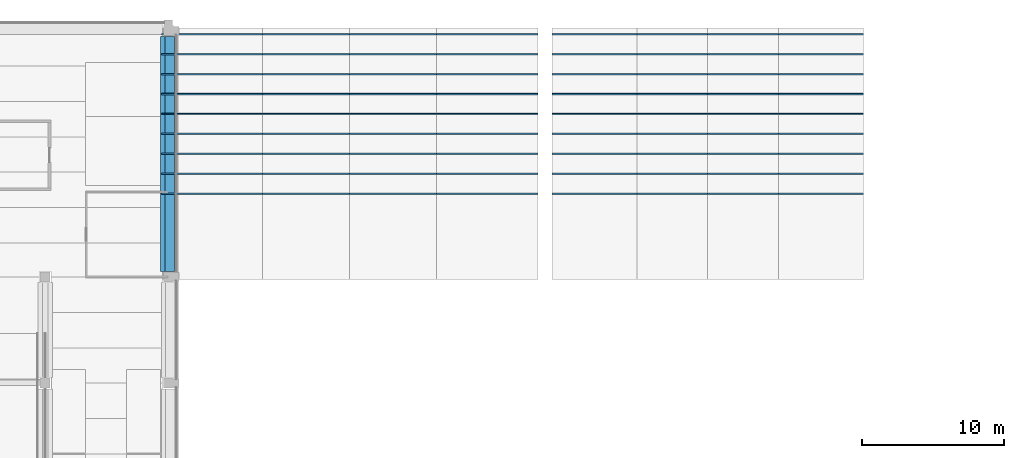
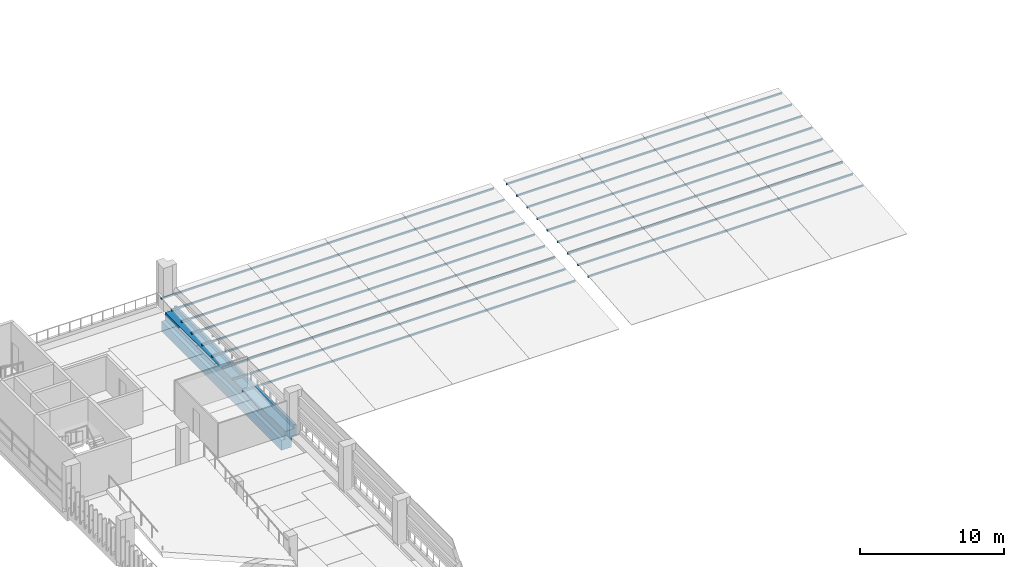
# One storey, part 4 of 24: 72 members, 1 beam.
"""IFC4 building model written with IfcOpenShell, lengths in metres."""

from ifc_helpers import new_model, si_unit, direction, frame, origin, origin_2d, place, context, subcontext, project, spatial, polyline, hollow_rectangle, outline, extrude, material, material_profile, profile_set, type_object, element, save


model = new_model("IFC4")

# Units and contexts
model_context = context("Model", 3, precision=1e-05, world=origin(), true_north=direction((0.0, 1.0)))
body_context = subcontext(model_context, "Body", "Model", "MODEL_VIEW")
ifc_project = project(units=[si_unit("LENGTHUNIT", "METRE"), si_unit("AREAUNIT", "SQUARE_METRE"), si_unit("VOLUMEUNIT", "CUBIC_METRE"), si_unit("PLANEANGLEUNIT", "RADIAN"), si_unit("MASSUNIT", "GRAM", prefix="KILO")], contexts=[model_context])

# Site, building, storey
site_placement = place(None, origin())
site = spatial("IfcSite", under=ifc_project, at=site_placement, CompositionType="ELEMENT")
building_placement = place(site_placement, origin())
building = spatial("IfcBuilding", under=site, at=building_placement, Name="Cour d'Honneur Mobility Palace", CompositionType="ELEMENT")
storey_placement = place(building_placement, frame((0.0, 0.0, 26.699951171875)))
storey = spatial("IfcBuildingStorey", under=building, at=storey_placement, Name="L07", CompositionType="ELEMENT", Elevation=26.699951171875)

# Beam
ifc_material_1 = material(Name="Concrete C45", Category="concrete")
ifc_material_profile_1 = material_profile(ifc_material_1, outline(polyline([(0.550048828125, -1.5), (0.550048828125, -0.64990234375), (0.25, -0.64990234375), (0.25, 0.0), (-0.25, 0.0), (-0.449951171875, 0.0), (-0.449951171875, 0.300048828125), (-0.64990234375, 0.300048828125), (-0.64990234375, -0.60009765625), (-0.25, -0.60009765625), (-0.25, -1.5), (0.550048828125, -1.5)])), Name="Ledger Beam 500x1500 ledge left 850 facade right")
ifc_profile_set_1 = profile_set([ifc_material_profile_1], Name="Concrete C45")
beam_type = type_object("IfcBeamType", Name="Ledger Beam 500x1500 ledge left 850 facade right", PredefinedType="BEAM", material=ifc_profile_set_1)
beam_placement = place(storey_placement, frame((17.39990234375, 45.39990234375, 0.0), z_axis=(0.0, 1.0, 0.0), x_axis=(-1.0, 0.0, 0.0)))
element("IfcBeam", 1, at=beam_placement, inside=storey, type_object=beam_type, Name="Precast beam B23 G-H L07", PredefinedType="BEAM", context=body_context, shape_type="SweptSolid", body=[
    extrude(outline(polyline([(0.550048828125, -1.5), (0.550048828125, -0.64990234375), (0.25, -0.64990234375), (0.25, 0.0), (-0.25, 0.0), (-0.449951171875, 0.0), (-0.449951171875, 0.300048828125), (-0.64990234375, 0.300048828125), (-0.64990234375, -0.60009765625), (-0.25, -0.60009765625), (-0.25, -1.5), (0.550048828125, -1.5)])), origin(), (0.0, 0.0, 1.0), 16.60009765625),
])

# Members
ifc_material_2 = material(Name="Steel S355", Category="steel")
ifc_material_profile_2 = material_profile(ifc_material_2, hollow_rectangle(XDim=0.10009765625, YDim=0.14990234375, WallThickness=0.00634765625, at=origin_2d()), Name="RHS 150x100x6.3")
ifc_profile_set_2 = profile_set([ifc_material_profile_2], Name="Steel S355")
member_type = type_object("IfcMemberType", Name="Pergola purlin RHS 150x100x6.3", PredefinedType="PURLIN", material=ifc_profile_set_2)
member_1_placement = place(storey_placement, frame((16.89990234375, 50.885009765625, 0.18115234375), z_axis=(1.0, 0.0, 0.0), x_axis=(0.0, 0.996196869991, 0.08713091426)))
element("IfcMember", 2, at=member_1_placement, inside=storey, type_object=member_type, Name="Pergola purlin FW-5.1", PredefinedType="PURLIN", context=body_context, shape_type="SweptSolid", body=[
    extrude(hollow_rectangle(XDim=0.10009765625, YDim=0.14990234375, WallThickness=0.00634765625, at=origin_2d()), origin(), (0.0, 0.0, 1.0), 7.150146484375),
])
member_2_placement = place(storey_placement, frame((24.050048828125, 50.885009765625, 0.18115234375), z_axis=(1.0, 0.0, 0.0), x_axis=(0.0, 0.996196869991, 0.08713091426)))
element("IfcMember", 3, at=member_2_placement, inside=storey, type_object=member_type, Name="Pergola purlin FW-5.2", PredefinedType="PURLIN", context=body_context, shape_type="SweptSolid", body=[
    extrude(hollow_rectangle(XDim=0.10009765625, YDim=0.14990234375, WallThickness=0.00634765625, at=origin_2d()), origin(), (0.0, 0.0, 1.0), 6.14990234375),
])
member_3_placement = place(storey_placement, frame((30.199951171875, 50.885009765625, 0.18115234375), z_axis=(1.0, 0.0, 0.0), x_axis=(0.0, 0.996196869991, 0.08713091426)))
element("IfcMember", 4, at=member_3_placement, inside=storey, type_object=member_type, Name="Pergola purlin FW-5.3", PredefinedType="PURLIN", context=body_context, shape_type="SweptSolid", body=[
    extrude(hollow_rectangle(XDim=0.10009765625, YDim=0.14990234375, WallThickness=0.00634765625, at=origin_2d()), origin(), (0.0, 0.0, 1.0), 6.150146484375),
])
member_4_placement = place(storey_placement, frame((36.35009765625, 50.885009765625, 0.18115234375), z_axis=(1.0, 0.0, 0.0), x_axis=(0.0, 0.996196869991, 0.08713091426)))
element("IfcMember", 5, at=member_4_placement, inside=storey, type_object=member_type, Name="Pergola purlin FW-5.4", PredefinedType="PURLIN", context=body_context, shape_type="SweptSolid", body=[
    extrude(hollow_rectangle(XDim=0.10009765625, YDim=0.14990234375, WallThickness=0.00634765625, at=origin_2d()), origin(), (0.0, 0.0, 1.0), 7.14990234375),
])
member_5_placement = place(storey_placement, frame((16.89990234375, 52.29248046875, 0.30419921875), z_axis=(1.0, 0.0, 0.0), x_axis=(0.0, 0.996196869991, 0.08713091426)))
element("IfcMember", 6, at=member_5_placement, inside=storey, type_object=member_type, Name="Pergola purlin FW-6.1", PredefinedType="PURLIN", context=body_context, shape_type="SweptSolid", body=[
    extrude(hollow_rectangle(XDim=0.10009765625, YDim=0.14990234375, WallThickness=0.00634765625, at=origin_2d()), origin(), (0.0, 0.0, 1.0), 7.150146484375),
])
member_6_placement = place(storey_placement, frame((24.050048828125, 52.29248046875, 0.30419921875), z_axis=(1.0, 0.0, 0.0), x_axis=(0.0, 0.996196869991, 0.08713091426)))
element("IfcMember", 7, at=member_6_placement, inside=storey, type_object=member_type, Name="Pergola purlin FW-6.2", PredefinedType="PURLIN", context=body_context, shape_type="SweptSolid", body=[
    extrude(hollow_rectangle(XDim=0.10009765625, YDim=0.14990234375, WallThickness=0.00634765625, at=origin_2d()), origin(), (0.0, 0.0, 1.0), 6.14990234375),
])
member_7_placement = place(storey_placement, frame((30.199951171875, 52.29248046875, 0.30419921875), z_axis=(1.0, 0.0, 0.0), x_axis=(0.0, 0.996196869991, 0.08713091426)))
element("IfcMember", 8, at=member_7_placement, inside=storey, type_object=member_type, Name="Pergola purlin FW-6.3", PredefinedType="PURLIN", context=body_context, shape_type="SweptSolid", body=[
    extrude(hollow_rectangle(XDim=0.10009765625, YDim=0.14990234375, WallThickness=0.00634765625, at=origin_2d()), origin(), (0.0, 0.0, 1.0), 6.150146484375),
])
member_8_placement = place(storey_placement, frame((36.35009765625, 52.29248046875, 0.30419921875), z_axis=(1.0, 0.0, 0.0), x_axis=(0.0, 0.996196869991, 0.08713091426)))
element("IfcMember", 9, at=member_8_placement, inside=storey, type_object=member_type, Name="Pergola purlin FW-6.4", PredefinedType="PURLIN", context=body_context, shape_type="SweptSolid", body=[
    extrude(hollow_rectangle(XDim=0.10009765625, YDim=0.14990234375, WallThickness=0.00634765625, at=origin_2d()), origin(), (0.0, 0.0, 1.0), 7.14990234375),
])
member_9_placement = place(storey_placement, frame((16.89990234375, 53.699951171875, 0.42724609375), z_axis=(1.0, 0.0, 0.0), x_axis=(0.0, 0.996196869991, 0.08713091426)))
element("IfcMember", 10, at=member_9_placement, inside=storey, type_object=member_type, Name="Pergola purlin FW-7.1", PredefinedType="PURLIN", context=body_context, shape_type="SweptSolid", body=[
    extrude(hollow_rectangle(XDim=0.10009765625, YDim=0.14990234375, WallThickness=0.00634765625, at=origin_2d()), origin(), (0.0, 0.0, 1.0), 7.150146484375),
])
member_10_placement = place(storey_placement, frame((24.050048828125, 53.699951171875, 0.42724609375), z_axis=(1.0, 0.0, 0.0), x_axis=(0.0, 0.996196869991, 0.08713091426)))
element("IfcMember", 11, at=member_10_placement, inside=storey, type_object=member_type, Name="Pergola purlin FW-7.2", PredefinedType="PURLIN", context=body_context, shape_type="SweptSolid", body=[
    extrude(hollow_rectangle(XDim=0.10009765625, YDim=0.14990234375, WallThickness=0.00634765625, at=origin_2d()), origin(), (0.0, 0.0, 1.0), 6.14990234375),
])
member_11_placement = place(storey_placement, frame((30.199951171875, 53.699951171875, 0.42724609375), z_axis=(1.0, 0.0, 0.0), x_axis=(0.0, 0.996196869991, 0.08713091426)))
element("IfcMember", 12, at=member_11_placement, inside=storey, type_object=member_type, Name="Pergola purlin FW-7.3", PredefinedType="PURLIN", context=body_context, shape_type="SweptSolid", body=[
    extrude(hollow_rectangle(XDim=0.10009765625, YDim=0.14990234375, WallThickness=0.00634765625, at=origin_2d()), origin(), (0.0, 0.0, 1.0), 6.150146484375),
])
member_12_placement = place(storey_placement, frame((36.35009765625, 53.699951171875, 0.42724609375), z_axis=(1.0, 0.0, 0.0), x_axis=(0.0, 0.996196869991, 0.08713091426)))
element("IfcMember", 13, at=member_12_placement, inside=storey, type_object=member_type, Name="Pergola purlin FW-7.4", PredefinedType="PURLIN", context=body_context, shape_type="SweptSolid", body=[
    extrude(hollow_rectangle(XDim=0.10009765625, YDim=0.14990234375, WallThickness=0.00634765625, at=origin_2d()), origin(), (0.0, 0.0, 1.0), 7.14990234375),
])
member_13_placement = place(storey_placement, frame((16.89990234375, 55.107421875, 0.55029296875), z_axis=(1.0, 0.0, 0.0), x_axis=(0.0, 0.996196869991, 0.08713091426)))
element("IfcMember", 14, at=member_13_placement, inside=storey, type_object=member_type, Name="Pergola purlin FW-8.1", PredefinedType="PURLIN", context=body_context, shape_type="SweptSolid", body=[
    extrude(hollow_rectangle(XDim=0.10009765625, YDim=0.14990234375, WallThickness=0.00634765625, at=origin_2d()), origin(), (0.0, 0.0, 1.0), 7.150146484375),
])
member_14_placement = place(storey_placement, frame((24.050048828125, 55.107421875, 0.55029296875), z_axis=(1.0, 0.0, 0.0), x_axis=(0.0, 0.996196869991, 0.08713091426)))
element("IfcMember", 15, at=member_14_placement, inside=storey, type_object=member_type, Name="Pergola purlin FW-8.2", PredefinedType="PURLIN", context=body_context, shape_type="SweptSolid", body=[
    extrude(hollow_rectangle(XDim=0.10009765625, YDim=0.14990234375, WallThickness=0.00634765625, at=origin_2d()), origin(), (0.0, 0.0, 1.0), 6.14990234375),
])
member_15_placement = place(storey_placement, frame((30.199951171875, 55.107421875, 0.55029296875), z_axis=(1.0, 0.0, 0.0), x_axis=(0.0, 0.996196869991, 0.08713091426)))
element("IfcMember", 16, at=member_15_placement, inside=storey, type_object=member_type, Name="Pergola purlin FW-8.3", PredefinedType="PURLIN", context=body_context, shape_type="SweptSolid", body=[
    extrude(hollow_rectangle(XDim=0.10009765625, YDim=0.14990234375, WallThickness=0.00634765625, at=origin_2d()), origin(), (0.0, 0.0, 1.0), 6.150146484375),
])
member_16_placement = place(storey_placement, frame((36.35009765625, 55.107421875, 0.55029296875), z_axis=(1.0, 0.0, 0.0), x_axis=(0.0, 0.996196869991, 0.08713091426)))
element("IfcMember", 17, at=member_16_placement, inside=storey, type_object=member_type, Name="Pergola purlin FW-8.4", PredefinedType="PURLIN", context=body_context, shape_type="SweptSolid", body=[
    extrude(hollow_rectangle(XDim=0.10009765625, YDim=0.14990234375, WallThickness=0.00634765625, at=origin_2d()), origin(), (0.0, 0.0, 1.0), 7.14990234375),
])
member_17_placement = place(storey_placement, frame((16.89990234375, 56.514892578125, 0.67333984375), z_axis=(1.0, 0.0, 0.0), x_axis=(0.0, 0.996196869991, 0.08713091426)))
element("IfcMember", 18, at=member_17_placement, inside=storey, type_object=member_type, Name="Pergola purlin FW-9.1", PredefinedType="PURLIN", context=body_context, shape_type="SweptSolid", body=[
    extrude(hollow_rectangle(XDim=0.10009765625, YDim=0.14990234375, WallThickness=0.00634765625, at=origin_2d()), origin(), (0.0, 0.0, 1.0), 7.150146484375),
])
member_18_placement = place(storey_placement, frame((24.050048828125, 56.514892578125, 0.67333984375), z_axis=(1.0, 0.0, 0.0), x_axis=(0.0, 0.996196869991, 0.08713091426)))
element("IfcMember", 19, at=member_18_placement, inside=storey, type_object=member_type, Name="Pergola purlin FW-9.2", PredefinedType="PURLIN", context=body_context, shape_type="SweptSolid", body=[
    extrude(hollow_rectangle(XDim=0.10009765625, YDim=0.14990234375, WallThickness=0.00634765625, at=origin_2d()), origin(), (0.0, 0.0, 1.0), 6.14990234375),
])
member_19_placement = place(storey_placement, frame((30.199951171875, 56.514892578125, 0.67333984375), z_axis=(1.0, 0.0, 0.0), x_axis=(0.0, 0.996196869991, 0.08713091426)))
element("IfcMember", 20, at=member_19_placement, inside=storey, type_object=member_type, Name="Pergola purlin FW-9.3", PredefinedType="PURLIN", context=body_context, shape_type="SweptSolid", body=[
    extrude(hollow_rectangle(XDim=0.10009765625, YDim=0.14990234375, WallThickness=0.00634765625, at=origin_2d()), origin(), (0.0, 0.0, 1.0), 6.150146484375),
])
member_20_placement = place(storey_placement, frame((36.35009765625, 56.514892578125, 0.67333984375), z_axis=(1.0, 0.0, 0.0), x_axis=(0.0, 0.996196869991, 0.08713091426)))
element("IfcMember", 21, at=member_20_placement, inside=storey, type_object=member_type, Name="Pergola purlin FW-9.4", PredefinedType="PURLIN", context=body_context, shape_type="SweptSolid", body=[
    extrude(hollow_rectangle(XDim=0.10009765625, YDim=0.14990234375, WallThickness=0.00634765625, at=origin_2d()), origin(), (0.0, 0.0, 1.0), 7.14990234375),
])
member_21_placement = place(storey_placement, frame((16.89990234375, 57.922607421875, 0.796630859375), z_axis=(1.0, 0.0, 0.0), x_axis=(0.0, 0.996196869991, 0.08713091426)))
element("IfcMember", 22, at=member_21_placement, inside=storey, type_object=member_type, Name="Pergola purlin FW-10.1", PredefinedType="PURLIN", context=body_context, shape_type="SweptSolid", body=[
    extrude(hollow_rectangle(XDim=0.10009765625, YDim=0.14990234375, WallThickness=0.00634765625, at=origin_2d()), origin(), (0.0, 0.0, 1.0), 7.150146484375),
])
member_22_placement = place(storey_placement, frame((24.050048828125, 57.922607421875, 0.796630859375), z_axis=(1.0, 0.0, 0.0), x_axis=(0.0, 0.996196869991, 0.08713091426)))
element("IfcMember", 23, at=member_22_placement, inside=storey, type_object=member_type, Name="Pergola purlin FW-10.2", PredefinedType="PURLIN", context=body_context, shape_type="SweptSolid", body=[
    extrude(hollow_rectangle(XDim=0.10009765625, YDim=0.14990234375, WallThickness=0.00634765625, at=origin_2d()), origin(), (0.0, 0.0, 1.0), 6.14990234375),
])
member_23_placement = place(storey_placement, frame((30.199951171875, 57.922607421875, 0.796630859375), z_axis=(1.0, 0.0, 0.0), x_axis=(0.0, 0.996196869991, 0.08713091426)))
element("IfcMember", 24, at=member_23_placement, inside=storey, type_object=member_type, Name="Pergola purlin FW-10.3", PredefinedType="PURLIN", context=body_context, shape_type="SweptSolid", body=[
    extrude(hollow_rectangle(XDim=0.10009765625, YDim=0.14990234375, WallThickness=0.00634765625, at=origin_2d()), origin(), (0.0, 0.0, 1.0), 6.150146484375),
])
member_24_placement = place(storey_placement, frame((36.35009765625, 57.922607421875, 0.796630859375), z_axis=(1.0, 0.0, 0.0), x_axis=(0.0, 0.996196869991, 0.08713091426)))
element("IfcMember", 25, at=member_24_placement, inside=storey, type_object=member_type, Name="Pergola purlin FW-10.4", PredefinedType="PURLIN", context=body_context, shape_type="SweptSolid", body=[
    extrude(hollow_rectangle(XDim=0.10009765625, YDim=0.14990234375, WallThickness=0.00634765625, at=origin_2d()), origin(), (0.0, 0.0, 1.0), 7.14990234375),
])
member_25_placement = place(storey_placement, frame((16.89990234375, 59.330078125, 0.919677734375), z_axis=(1.0, 0.0, 0.0), x_axis=(0.0, 0.996196869991, 0.08713091426)))
element("IfcMember", 26, at=member_25_placement, inside=storey, type_object=member_type, Name="Pergola purlin FW-11.1", PredefinedType="PURLIN", context=body_context, shape_type="SweptSolid", body=[
    extrude(hollow_rectangle(XDim=0.10009765625, YDim=0.14990234375, WallThickness=0.00634765625, at=origin_2d()), origin(), (0.0, 0.0, 1.0), 7.150146484375),
])
member_26_placement = place(storey_placement, frame((24.050048828125, 59.330078125, 0.919677734375), z_axis=(1.0, 0.0, 0.0), x_axis=(0.0, 0.996196869991, 0.08713091426)))
element("IfcMember", 27, at=member_26_placement, inside=storey, type_object=member_type, Name="Pergola purlin FW-11.2", PredefinedType="PURLIN", context=body_context, shape_type="SweptSolid", body=[
    extrude(hollow_rectangle(XDim=0.10009765625, YDim=0.14990234375, WallThickness=0.00634765625, at=origin_2d()), origin(), (0.0, 0.0, 1.0), 6.14990234375),
])
member_27_placement = place(storey_placement, frame((30.199951171875, 59.330078125, 0.919677734375), z_axis=(1.0, 0.0, 0.0), x_axis=(0.0, 0.996196869991, 0.08713091426)))
element("IfcMember", 28, at=member_27_placement, inside=storey, type_object=member_type, Name="Pergola purlin FW-11.3", PredefinedType="PURLIN", context=body_context, shape_type="SweptSolid", body=[
    extrude(hollow_rectangle(XDim=0.10009765625, YDim=0.14990234375, WallThickness=0.00634765625, at=origin_2d()), origin(), (0.0, 0.0, 1.0), 6.150146484375),
])
member_28_placement = place(storey_placement, frame((36.35009765625, 59.330078125, 0.919677734375), z_axis=(1.0, 0.0, 0.0), x_axis=(0.0, 0.996196869991, 0.08713091426)))
element("IfcMember", 29, at=member_28_placement, inside=storey, type_object=member_type, Name="Pergola purlin FW-11.4", PredefinedType="PURLIN", context=body_context, shape_type="SweptSolid", body=[
    extrude(hollow_rectangle(XDim=0.10009765625, YDim=0.14990234375, WallThickness=0.00634765625, at=origin_2d()), origin(), (0.0, 0.0, 1.0), 7.14990234375),
])
member_29_placement = place(storey_placement, frame((16.89990234375, 60.737548828125, 1.042724609375), z_axis=(1.0, 0.0, 0.0), x_axis=(0.0, 0.996196869991, 0.08713091426)))
element("IfcMember", 30, at=member_29_placement, inside=storey, type_object=member_type, Name="Pergola purlin FW-12.1", PredefinedType="PURLIN", context=body_context, shape_type="SweptSolid", body=[
    extrude(hollow_rectangle(XDim=0.10009765625, YDim=0.14990234375, WallThickness=0.00634765625, at=origin_2d()), origin(), (0.0, 0.0, 1.0), 7.150146484375),
])
member_30_placement = place(storey_placement, frame((24.050048828125, 60.737548828125, 1.042724609375), z_axis=(1.0, 0.0, 0.0), x_axis=(0.0, 0.996196869991, 0.08713091426)))
element("IfcMember", 31, at=member_30_placement, inside=storey, type_object=member_type, Name="Pergola purlin FW-12.2", PredefinedType="PURLIN", context=body_context, shape_type="SweptSolid", body=[
    extrude(hollow_rectangle(XDim=0.10009765625, YDim=0.14990234375, WallThickness=0.00634765625, at=origin_2d()), origin(), (0.0, 0.0, 1.0), 6.14990234375),
])
member_31_placement = place(storey_placement, frame((30.199951171875, 60.737548828125, 1.042724609375), z_axis=(1.0, 0.0, 0.0), x_axis=(0.0, 0.996196869991, 0.08713091426)))
element("IfcMember", 32, at=member_31_placement, inside=storey, type_object=member_type, Name="Pergola purlin FW-12.3", PredefinedType="PURLIN", context=body_context, shape_type="SweptSolid", body=[
    extrude(hollow_rectangle(XDim=0.10009765625, YDim=0.14990234375, WallThickness=0.00634765625, at=origin_2d()), origin(), (0.0, 0.0, 1.0), 6.150146484375),
])
member_32_placement = place(storey_placement, frame((36.35009765625, 60.737548828125, 1.042724609375), z_axis=(1.0, 0.0, 0.0), x_axis=(0.0, 0.996196869991, 0.08713091426)))
element("IfcMember", 33, at=member_32_placement, inside=storey, type_object=member_type, Name="Pergola purlin FW-12.4", PredefinedType="PURLIN", context=body_context, shape_type="SweptSolid", body=[
    extrude(hollow_rectangle(XDim=0.10009765625, YDim=0.14990234375, WallThickness=0.00634765625, at=origin_2d()), origin(), (0.0, 0.0, 1.0), 7.14990234375),
])
member_33_placement = place(storey_placement, frame((16.89990234375, 62.14501953125, 1.165771484375), z_axis=(1.0, 0.0, 0.0), x_axis=(0.0, 0.996196869991, 0.08713091426)))
element("IfcMember", 34, at=member_33_placement, inside=storey, type_object=member_type, Name="Pergola purlin FW-13.1", PredefinedType="PURLIN", context=body_context, shape_type="SweptSolid", body=[
    extrude(hollow_rectangle(XDim=0.10009765625, YDim=0.14990234375, WallThickness=0.00634765625, at=origin_2d()), origin(), (0.0, 0.0, 1.0), 7.150146484375),
])
member_34_placement = place(storey_placement, frame((24.050048828125, 62.14501953125, 1.165771484375), z_axis=(1.0, 0.0, 0.0), x_axis=(0.0, 0.996196869991, 0.08713091426)))
element("IfcMember", 35, at=member_34_placement, inside=storey, type_object=member_type, Name="Pergola purlin FW-13.2", PredefinedType="PURLIN", context=body_context, shape_type="SweptSolid", body=[
    extrude(hollow_rectangle(XDim=0.10009765625, YDim=0.14990234375, WallThickness=0.00634765625, at=origin_2d()), origin(), (0.0, 0.0, 1.0), 6.14990234375),
])
member_35_placement = place(storey_placement, frame((30.199951171875, 62.14501953125, 1.165771484375), z_axis=(1.0, 0.0, 0.0), x_axis=(0.0, 0.996196869991, 0.08713091426)))
element("IfcMember", 36, at=member_35_placement, inside=storey, type_object=member_type, Name="Pergola purlin FW-13.3", PredefinedType="PURLIN", context=body_context, shape_type="SweptSolid", body=[
    extrude(hollow_rectangle(XDim=0.10009765625, YDim=0.14990234375, WallThickness=0.00634765625, at=origin_2d()), origin(), (0.0, 0.0, 1.0), 6.150146484375),
])
member_36_placement = place(storey_placement, frame((36.35009765625, 62.14501953125, 1.165771484375), z_axis=(1.0, 0.0, 0.0), x_axis=(0.0, 0.996196869991, 0.08713091426)))
element("IfcMember", 37, at=member_36_placement, inside=storey, type_object=member_type, Name="Pergola purlin FW-13.4", PredefinedType="PURLIN", context=body_context, shape_type="SweptSolid", body=[
    extrude(hollow_rectangle(XDim=0.10009765625, YDim=0.14990234375, WallThickness=0.00634765625, at=origin_2d()), origin(), (0.0, 0.0, 1.0), 7.14990234375),
])
member_37_placement = place(storey_placement, frame((44.5, 50.885009765625, 0.18115234375), z_axis=(1.0, 0.0, 0.0), x_axis=(0.0, 0.996196869991, 0.08713091426)))
element("IfcMember", 38, at=member_37_placement, inside=storey, type_object=member_type, Name="Pergola purlin PW-5.1", PredefinedType="PURLIN", context=body_context, shape_type="SweptSolid", body=[
    extrude(hollow_rectangle(XDim=0.10009765625, YDim=0.14990234375, WallThickness=0.00634765625, at=origin_2d()), origin(), (0.0, 0.0, 1.0), 6.0),
])
for number, where, z_axis, x_axis, name in (
    (39, (50.5, 50.885009765625, 0.18115234375), (1.0, 0.0, 0.0), (0.0, 0.996196869991, 0.08713091426), "Pergola purlin PW-5.2"),
    (40, (55.5, 50.885009765625, 0.18115234375), (1.0, 0.0, 0.0), (0.0, 0.996196869991, 0.08713091426), "Pergola purlin PW-5.3"),
):
    element("IfcMember", number, at=place(storey_placement, frame(where, z_axis=z_axis, x_axis=x_axis)), inside=storey, type_object=member_type, Name=name, PredefinedType="PURLIN", context=body_context, shape_type="SweptSolid", body=[
        extrude(hollow_rectangle(XDim=0.10009765625, YDim=0.14990234375, WallThickness=0.00634765625, at=origin_2d()), origin(), (0.0, 0.0, 1.0), 5.0),
    ])
for number, where, z_axis, x_axis, name in (
    (41, (60.5, 50.885009765625, 0.18115234375), (1.0, 0.0, 0.0), (0.0, 0.996196869991, 0.08713091426), "Pergola purlin PW-5.4"),
    (42, (44.5, 52.29248046875, 0.30419921875), (1.0, 0.0, 0.0), (0.0, 0.996196869991, 0.08713091426), "Pergola purlin PW-6.1"),
):
    element("IfcMember", number, at=place(storey_placement, frame(where, z_axis=z_axis, x_axis=x_axis)), inside=storey, type_object=member_type, Name=name, PredefinedType="PURLIN", context=body_context, shape_type="SweptSolid", body=[
        extrude(hollow_rectangle(XDim=0.10009765625, YDim=0.14990234375, WallThickness=0.00634765625, at=origin_2d()), origin(), (0.0, 0.0, 1.0), 6.0),
    ])
for number, where, z_axis, x_axis, name in (
    (43, (50.5, 52.29248046875, 0.30419921875), (1.0, 0.0, 0.0), (0.0, 0.996196869991, 0.08713091426), "Pergola purlin PW-6.2"),
    (44, (55.5, 52.29248046875, 0.30419921875), (1.0, 0.0, 0.0), (0.0, 0.996196869991, 0.08713091426), "Pergola purlin PW-6.3"),
):
    element("IfcMember", number, at=place(storey_placement, frame(where, z_axis=z_axis, x_axis=x_axis)), inside=storey, type_object=member_type, Name=name, PredefinedType="PURLIN", context=body_context, shape_type="SweptSolid", body=[
        extrude(hollow_rectangle(XDim=0.10009765625, YDim=0.14990234375, WallThickness=0.00634765625, at=origin_2d()), origin(), (0.0, 0.0, 1.0), 5.0),
    ])
for number, where, z_axis, x_axis, name in (
    (45, (60.5, 52.29248046875, 0.30419921875), (1.0, 0.0, 0.0), (0.0, 0.996196869991, 0.08713091426), "Pergola purlin PW-6.4"),
    (46, (44.5, 53.699951171875, 0.42724609375), (1.0, 0.0, 0.0), (0.0, 0.996196869991, 0.08713091426), "Pergola purlin PW-7.1"),
):
    element("IfcMember", number, at=place(storey_placement, frame(where, z_axis=z_axis, x_axis=x_axis)), inside=storey, type_object=member_type, Name=name, PredefinedType="PURLIN", context=body_context, shape_type="SweptSolid", body=[
        extrude(hollow_rectangle(XDim=0.10009765625, YDim=0.14990234375, WallThickness=0.00634765625, at=origin_2d()), origin(), (0.0, 0.0, 1.0), 6.0),
    ])
for number, where, z_axis, x_axis, name in (
    (47, (50.5, 53.699951171875, 0.42724609375), (1.0, 0.0, 0.0), (0.0, 0.996196869991, 0.08713091426), "Pergola purlin PW-7.2"),
    (48, (55.5, 53.699951171875, 0.42724609375), (1.0, 0.0, 0.0), (0.0, 0.996196869991, 0.08713091426), "Pergola purlin PW-7.3"),
):
    element("IfcMember", number, at=place(storey_placement, frame(where, z_axis=z_axis, x_axis=x_axis)), inside=storey, type_object=member_type, Name=name, PredefinedType="PURLIN", context=body_context, shape_type="SweptSolid", body=[
        extrude(hollow_rectangle(XDim=0.10009765625, YDim=0.14990234375, WallThickness=0.00634765625, at=origin_2d()), origin(), (0.0, 0.0, 1.0), 5.0),
    ])
for number, where, z_axis, x_axis, name in (
    (49, (60.5, 53.699951171875, 0.42724609375), (1.0, 0.0, 0.0), (0.0, 0.996196869991, 0.08713091426), "Pergola purlin PW-7.4"),
    (50, (44.5, 55.107421875, 0.55029296875), (1.0, 0.0, 0.0), (0.0, 0.996196869991, 0.08713091426), "Pergola purlin PW-8.1"),
):
    element("IfcMember", number, at=place(storey_placement, frame(where, z_axis=z_axis, x_axis=x_axis)), inside=storey, type_object=member_type, Name=name, PredefinedType="PURLIN", context=body_context, shape_type="SweptSolid", body=[
        extrude(hollow_rectangle(XDim=0.10009765625, YDim=0.14990234375, WallThickness=0.00634765625, at=origin_2d()), origin(), (0.0, 0.0, 1.0), 6.0),
    ])
for number, where, z_axis, x_axis, name in (
    (51, (50.5, 55.107421875, 0.55029296875), (1.0, 0.0, 0.0), (0.0, 0.996196869991, 0.08713091426), "Pergola purlin PW-8.2"),
    (52, (55.5, 55.107421875, 0.55029296875), (1.0, 0.0, 0.0), (0.0, 0.996196869991, 0.08713091426), "Pergola purlin PW-8.3"),
):
    element("IfcMember", number, at=place(storey_placement, frame(where, z_axis=z_axis, x_axis=x_axis)), inside=storey, type_object=member_type, Name=name, PredefinedType="PURLIN", context=body_context, shape_type="SweptSolid", body=[
        extrude(hollow_rectangle(XDim=0.10009765625, YDim=0.14990234375, WallThickness=0.00634765625, at=origin_2d()), origin(), (0.0, 0.0, 1.0), 5.0),
    ])
for number, where, z_axis, x_axis, name in (
    (53, (60.5, 55.107421875, 0.55029296875), (1.0, 0.0, 0.0), (0.0, 0.996196869991, 0.08713091426), "Pergola purlin PW-8.4"),
    (54, (44.5, 56.514892578125, 0.67333984375), (1.0, 0.0, 0.0), (0.0, 0.996196869991, 0.08713091426), "Pergola purlin PW-9.1"),
):
    element("IfcMember", number, at=place(storey_placement, frame(where, z_axis=z_axis, x_axis=x_axis)), inside=storey, type_object=member_type, Name=name, PredefinedType="PURLIN", context=body_context, shape_type="SweptSolid", body=[
        extrude(hollow_rectangle(XDim=0.10009765625, YDim=0.14990234375, WallThickness=0.00634765625, at=origin_2d()), origin(), (0.0, 0.0, 1.0), 6.0),
    ])
for number, where, z_axis, x_axis, name in (
    (55, (50.5, 56.514892578125, 0.67333984375), (1.0, 0.0, 0.0), (0.0, 0.996196869991, 0.08713091426), "Pergola purlin PW-9.2"),
    (56, (55.5, 56.514892578125, 0.67333984375), (1.0, 0.0, 0.0), (0.0, 0.996196869991, 0.08713091426), "Pergola purlin PW-9.3"),
):
    element("IfcMember", number, at=place(storey_placement, frame(where, z_axis=z_axis, x_axis=x_axis)), inside=storey, type_object=member_type, Name=name, PredefinedType="PURLIN", context=body_context, shape_type="SweptSolid", body=[
        extrude(hollow_rectangle(XDim=0.10009765625, YDim=0.14990234375, WallThickness=0.00634765625, at=origin_2d()), origin(), (0.0, 0.0, 1.0), 5.0),
    ])
for number, where, z_axis, x_axis, name in (
    (57, (60.5, 56.514892578125, 0.67333984375), (1.0, 0.0, 0.0), (0.0, 0.996196869991, 0.08713091426), "Pergola purlin PW-9.4"),
    (58, (44.5, 57.922607421875, 0.796630859375), (1.0, 0.0, 0.0), (0.0, 0.996196869991, 0.08713091426), "Pergola purlin PW-10.1"),
):
    element("IfcMember", number, at=place(storey_placement, frame(where, z_axis=z_axis, x_axis=x_axis)), inside=storey, type_object=member_type, Name=name, PredefinedType="PURLIN", context=body_context, shape_type="SweptSolid", body=[
        extrude(hollow_rectangle(XDim=0.10009765625, YDim=0.14990234375, WallThickness=0.00634765625, at=origin_2d()), origin(), (0.0, 0.0, 1.0), 6.0),
    ])
for number, where, z_axis, x_axis, name in (
    (59, (50.5, 57.922607421875, 0.796630859375), (1.0, 0.0, 0.0), (0.0, 0.996196869991, 0.08713091426), "Pergola purlin PW-10.2"),
    (60, (55.5, 57.922607421875, 0.796630859375), (1.0, 0.0, 0.0), (0.0, 0.996196869991, 0.08713091426), "Pergola purlin PW-10.3"),
):
    element("IfcMember", number, at=place(storey_placement, frame(where, z_axis=z_axis, x_axis=x_axis)), inside=storey, type_object=member_type, Name=name, PredefinedType="PURLIN", context=body_context, shape_type="SweptSolid", body=[
        extrude(hollow_rectangle(XDim=0.10009765625, YDim=0.14990234375, WallThickness=0.00634765625, at=origin_2d()), origin(), (0.0, 0.0, 1.0), 5.0),
    ])
for number, where, z_axis, x_axis, name in (
    (61, (60.5, 57.922607421875, 0.796630859375), (1.0, 0.0, 0.0), (0.0, 0.996196869991, 0.08713091426), "Pergola purlin PW-10.4"),
    (62, (44.5, 59.330078125, 0.919677734375), (1.0, 0.0, 0.0), (0.0, 0.996196869991, 0.08713091426), "Pergola purlin PW-11.1"),
):
    element("IfcMember", number, at=place(storey_placement, frame(where, z_axis=z_axis, x_axis=x_axis)), inside=storey, type_object=member_type, Name=name, PredefinedType="PURLIN", context=body_context, shape_type="SweptSolid", body=[
        extrude(hollow_rectangle(XDim=0.10009765625, YDim=0.14990234375, WallThickness=0.00634765625, at=origin_2d()), origin(), (0.0, 0.0, 1.0), 6.0),
    ])
for number, where, z_axis, x_axis, name in (
    (63, (50.5, 59.330078125, 0.919677734375), (1.0, 0.0, 0.0), (0.0, 0.996196869991, 0.08713091426), "Pergola purlin PW-11.2"),
    (64, (55.5, 59.330078125, 0.919677734375), (1.0, 0.0, 0.0), (0.0, 0.996196869991, 0.08713091426), "Pergola purlin PW-11.3"),
):
    element("IfcMember", number, at=place(storey_placement, frame(where, z_axis=z_axis, x_axis=x_axis)), inside=storey, type_object=member_type, Name=name, PredefinedType="PURLIN", context=body_context, shape_type="SweptSolid", body=[
        extrude(hollow_rectangle(XDim=0.10009765625, YDim=0.14990234375, WallThickness=0.00634765625, at=origin_2d()), origin(), (0.0, 0.0, 1.0), 5.0),
    ])
for number, where, z_axis, x_axis, name in (
    (65, (60.5, 59.330078125, 0.919677734375), (1.0, 0.0, 0.0), (0.0, 0.996196869991, 0.08713091426), "Pergola purlin PW-11.4"),
    (66, (44.5, 60.737548828125, 1.042724609375), (1.0, 0.0, 0.0), (0.0, 0.996196869991, 0.08713091426), "Pergola purlin PW-12.1"),
):
    element("IfcMember", number, at=place(storey_placement, frame(where, z_axis=z_axis, x_axis=x_axis)), inside=storey, type_object=member_type, Name=name, PredefinedType="PURLIN", context=body_context, shape_type="SweptSolid", body=[
        extrude(hollow_rectangle(XDim=0.10009765625, YDim=0.14990234375, WallThickness=0.00634765625, at=origin_2d()), origin(), (0.0, 0.0, 1.0), 6.0),
    ])
for number, where, z_axis, x_axis, name in (
    (67, (50.5, 60.737548828125, 1.042724609375), (1.0, 0.0, 0.0), (0.0, 0.996196869991, 0.08713091426), "Pergola purlin PW-12.2"),
    (68, (55.5, 60.737548828125, 1.042724609375), (1.0, 0.0, 0.0), (0.0, 0.996196869991, 0.08713091426), "Pergola purlin PW-12.3"),
):
    element("IfcMember", number, at=place(storey_placement, frame(where, z_axis=z_axis, x_axis=x_axis)), inside=storey, type_object=member_type, Name=name, PredefinedType="PURLIN", context=body_context, shape_type="SweptSolid", body=[
        extrude(hollow_rectangle(XDim=0.10009765625, YDim=0.14990234375, WallThickness=0.00634765625, at=origin_2d()), origin(), (0.0, 0.0, 1.0), 5.0),
    ])
for number, where, z_axis, x_axis, name in (
    (69, (60.5, 60.737548828125, 1.042724609375), (1.0, 0.0, 0.0), (0.0, 0.996196869991, 0.08713091426), "Pergola purlin PW-12.4"),
    (70, (44.5, 62.14501953125, 1.165771484375), (1.0, 0.0, 0.0), (0.0, 0.996196869991, 0.08713091426), "Pergola purlin PW-13.1"),
):
    element("IfcMember", number, at=place(storey_placement, frame(where, z_axis=z_axis, x_axis=x_axis)), inside=storey, type_object=member_type, Name=name, PredefinedType="PURLIN", context=body_context, shape_type="SweptSolid", body=[
        extrude(hollow_rectangle(XDim=0.10009765625, YDim=0.14990234375, WallThickness=0.00634765625, at=origin_2d()), origin(), (0.0, 0.0, 1.0), 6.0),
    ])
for number, where, z_axis, x_axis, name in (
    (71, (50.5, 62.14501953125, 1.165771484375), (1.0, 0.0, 0.0), (0.0, 0.996196869991, 0.08713091426), "Pergola purlin PW-13.2"),
    (72, (55.5, 62.14501953125, 1.165771484375), (1.0, 0.0, 0.0), (0.0, 0.996196869991, 0.08713091426), "Pergola purlin PW-13.3"),
):
    element("IfcMember", number, at=place(storey_placement, frame(where, z_axis=z_axis, x_axis=x_axis)), inside=storey, type_object=member_type, Name=name, PredefinedType="PURLIN", context=body_context, shape_type="SweptSolid", body=[
        extrude(hollow_rectangle(XDim=0.10009765625, YDim=0.14990234375, WallThickness=0.00634765625, at=origin_2d()), origin(), (0.0, 0.0, 1.0), 5.0),
    ])
member_38_placement = place(storey_placement, frame((60.5, 62.14501953125, 1.165771484375), z_axis=(1.0, 0.0, 0.0), x_axis=(0.0, 0.996196869991, 0.08713091426)))
element("IfcMember", 73, at=member_38_placement, inside=storey, type_object=member_type, Name="Pergola purlin PW-13.4", PredefinedType="PURLIN", context=body_context, shape_type="SweptSolid", body=[
    extrude(hollow_rectangle(XDim=0.10009765625, YDim=0.14990234375, WallThickness=0.00634765625, at=origin_2d()), origin(), (0.0, 0.0, 1.0), 6.0),
])

save(model, "model.ifc")
